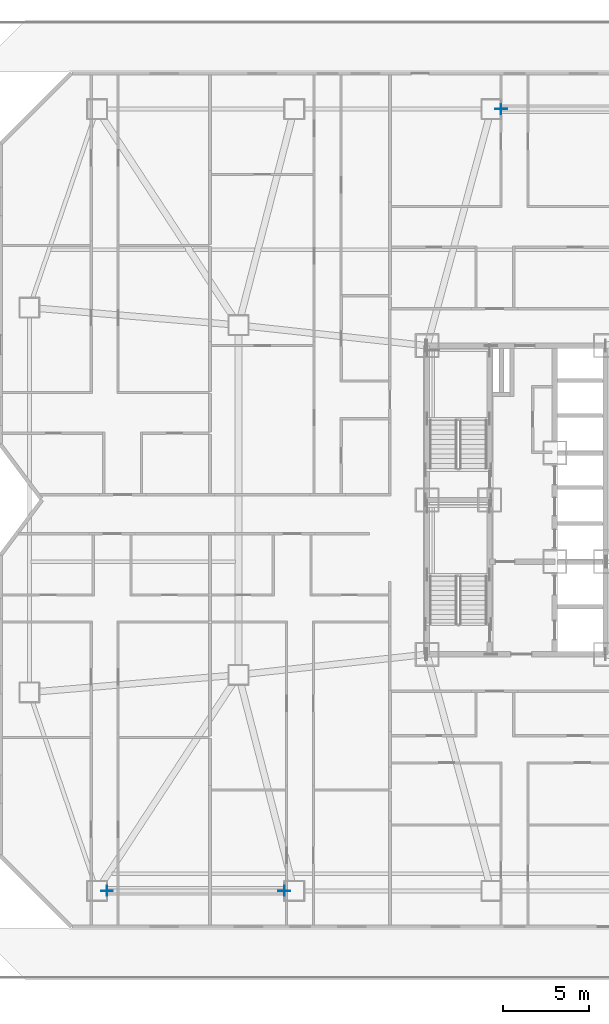
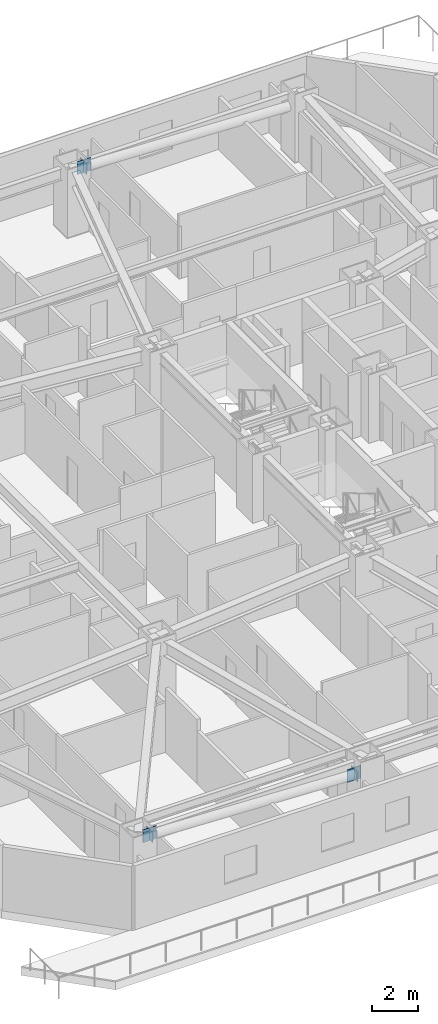
# One storey, part 7 of 18: 6 plates.
"""IFC4 building model written with IfcOpenShell, lengths in metres."""

from ifc_helpers import new_model, si_unit, direction, frame, origin, origin_2d, place, context, subcontext, project, spatial, rectangle, extrude, material, layer, layer_set, type_object, element, save


model = new_model("IFC4")

# Units and contexts
model_context = context("Model", 3, precision=1e-05, world=origin(), true_north=direction((0.0, 1.0)))
body_context = subcontext(model_context, "Body", "Model", "MODEL_VIEW")
ifc_project = project(units=[si_unit("LENGTHUNIT", "METRE"), si_unit("AREAUNIT", "SQUARE_METRE"), si_unit("VOLUMEUNIT", "CUBIC_METRE"), si_unit("PLANEANGLEUNIT", "RADIAN"), si_unit("MASSUNIT", "GRAM", prefix="KILO")], contexts=[model_context])

# Site, building, storey
site_placement = place(None, origin())
site = spatial("IfcSite", under=ifc_project, at=site_placement, CompositionType="ELEMENT")
building_placement = place(site_placement, origin())
building = spatial("IfcBuilding", under=site, at=building_placement, Name="Khamvora Tower", CompositionType="ELEMENT")
storey_placement = place(building_placement, frame((0.0, 0.0, 33.300048828125)))
storey = spatial("IfcBuildingStorey", under=building, at=storey_placement, Name="L07", CompositionType="ELEMENT", Elevation=33.300048828125)

# Plates
ifc_material_1 = material(Name="Steel S355", Category="steel")
ifc_layer_1 = layer(ifc_material_1, 0.02490234375)
ifc_layer_set_1 = layer_set([ifc_layer_1], Name="Steel S355")
plate_type_1 = type_object("IfcPlateType", Name="PL-CAP-25", PredefinedType="SHEET", material=ifc_layer_set_1)
for number, where, z_axis, x_axis, name in (
    (1, (20.681884765625, 5.199951171875, 2.41796875), (0.0, 0.0, 1.0), (-1.0, 0.0, 0.0), "L07 hollow section steel end cap plate 0556"),
    (2, (10.318115234375, 5.199951171875, 2.81494140625), (0.0, 0.0, 1.0), (-1.0, 0.0, 0.0), "L07 hollow section steel end cap plate 0557"),
    (3, (33.318115234375, 50.800048828125, 2.81494140625), (0.0, 0.0, 1.0), (-1.0, 0.0, 0.0), "L07 hollow section steel end cap plate 0559"),
):
    element("IfcPlate", number, at=place(storey_placement, frame(where, z_axis=z_axis, x_axis=x_axis)), inside=storey, type_object=plate_type_1, Name=name, PredefinedType="SHEET", context=body_context, shape_type="SweptSolid", body=[
        extrude(rectangle(XDim=0.02490234375, YDim=0.568115234375, at=origin_2d()), origin(), (0.0, 0.0, 1.0), 0.568115234375),
    ])
ifc_material_2 = material(Name="Steel S460", Category="steel")
ifc_layer_2 = layer(ifc_material_2, 0.0400390625)
ifc_layer_set_2 = layer_set([ifc_layer_2], Name="Steel S460")
plate_type_2 = type_object("IfcPlateType", Name="PLT-GUS-40", PredefinedType="SHEET", material=ifc_layer_set_2)
for number, where, z_axis, x_axis, name in (
    (4, (20.669921875, 5.199951171875, 2.36181640625), (0.0, 0.0, 1.0), (1.0, 0.0, 0.0), "L07 brace connection node gusset plate 0073"),
    (5, (10.330078125, 5.199951171875, 2.7587890625), (0.0, 0.0, 1.0), (1.0, 0.0, 0.0), "L07 brace connection node gusset plate 0074"),
    (6, (33.330078125, 50.800048828125, 2.7587890625), (0.0, 0.0, 1.0), (1.0, 0.0, 0.0), "L07 brace connection node gusset plate 0076"),
):
    element("IfcPlate", number, at=place(storey_placement, frame(where, z_axis=z_axis, x_axis=x_axis)), inside=storey, type_object=plate_type_2, Name=name, PredefinedType="SHEET", context=body_context, shape_type="SweptSolid", body=[
        extrude(rectangle(XDim=0.679931640625, YDim=0.0400390625, at=origin_2d()), origin(), (0.0, 0.0, 1.0), 0.679931640625),
    ])

save(model, "model.ifc")
